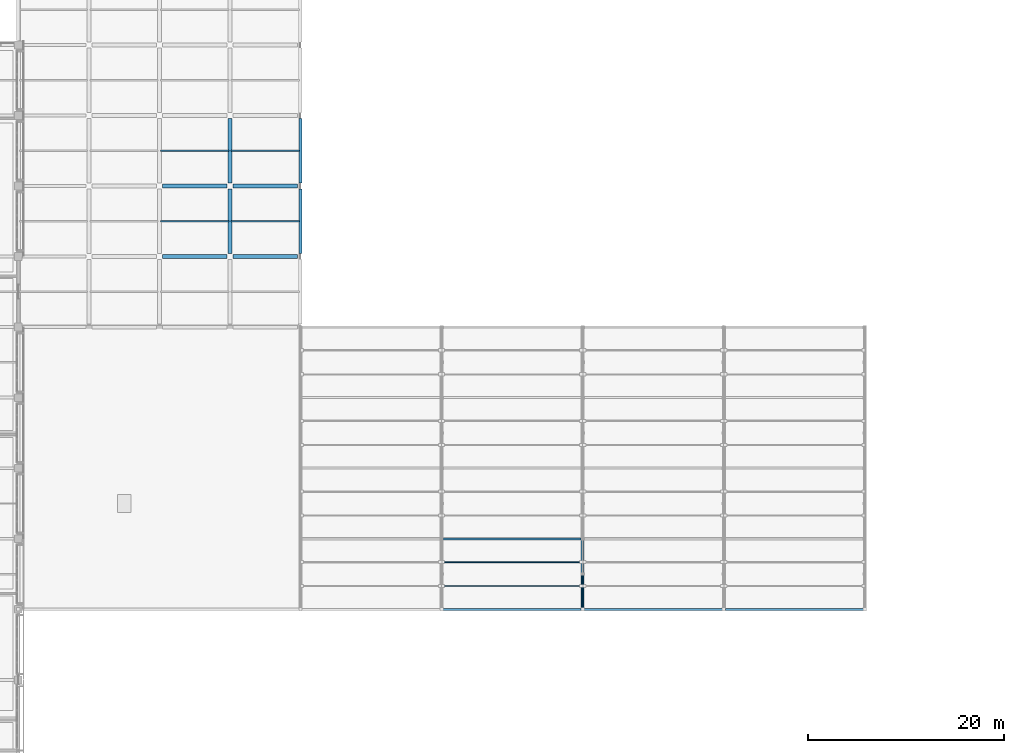
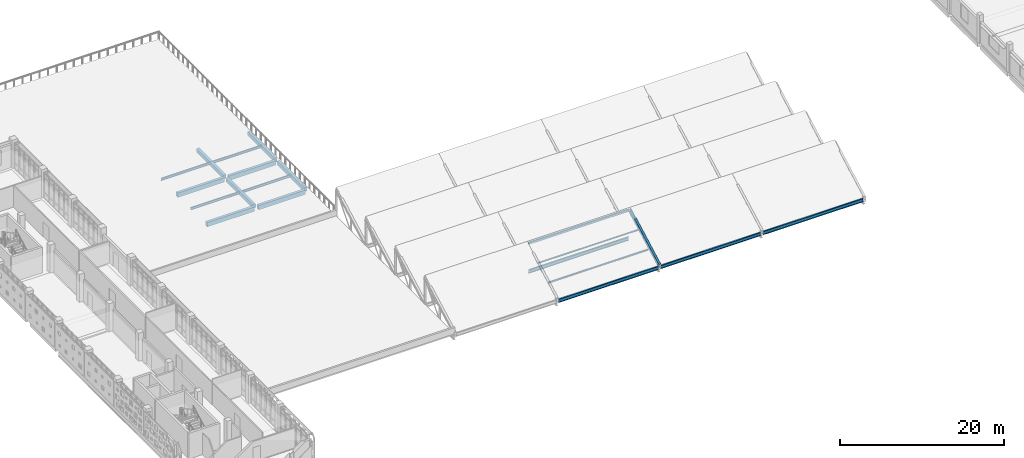
# One storey, part 13 of 51: 16 beams, 5 members.
"""IFC4 building model written with IfcOpenShell, lengths in metres."""

from ifc_helpers import new_model, si_unit, direction, frame, origin, origin_2d, place, context, subcontext, project, spatial, rectangle, hollow_rectangle, hollow_circle, i_section, extrude, material, material_profile, profile_set, type_object, element, save


model = new_model("IFC4")

# Units and contexts
model_context = context("Model", 3, precision=1e-05, world=origin(), true_north=direction((0.0, 1.0)))
body_context = subcontext(model_context, "Body", "Model", "MODEL_VIEW")
ifc_project = project(units=[si_unit("LENGTHUNIT", "METRE"), si_unit("AREAUNIT", "SQUARE_METRE"), si_unit("VOLUMEUNIT", "CUBIC_METRE"), si_unit("PLANEANGLEUNIT", "RADIAN"), si_unit("MASSUNIT", "GRAM", prefix="KILO")], contexts=[model_context])

# Site, building, storey
site_placement = place(None, origin())
site = spatial("IfcSite", under=ifc_project, at=site_placement, CompositionType="ELEMENT")
building_placement = place(site_placement, origin())
building = spatial("IfcBuilding", under=site, at=building_placement, Name="Valkovuoma Quantum and Materials Research Institute", CompositionType="ELEMENT")
storey_placement = place(building_placement, frame((0.0, 0.0, 17.280029296875)))
storey = spatial("IfcBuildingStorey", under=building, at=storey_placement, Name="L04", CompositionType="ELEMENT", Elevation=17.280029296875)

# Beams
ifc_material_1 = material(Name="Steel S355J2", Category="steel")
ifc_material_profile_1 = material_profile(ifc_material_1, i_section(OverallWidth=0.199951171875, OverallDepth=0.5, WebThickness=0.01025390625, FlangeThickness=0.01611328125, FilletRadius=0.02099609375, at=origin_2d()), Name="Steel S355J2")
ifc_profile_set_1 = profile_set([ifc_material_profile_1], Name="Steel S355J2")
beam_type_1 = type_object("IfcBeamType", Name="Beam-B-IPE500", PredefinedType="BEAM", material=ifc_profile_set_1)
for number, where, z_axis, x_axis, name in (
    (1, (57.75, 36.0, -0.300048828125), (1.0, 0.0, 0.0), (0.0, 1.0, 0.0), "L04 VOL2 valley beam 1.2"),
    (2, (72.14990234375, 36.0, -0.300048828125), (1.0, 0.0, 0.0), (0.0, 1.0, 0.0), "L04 VOL2 valley beam 1.3"),
):
    element("IfcBeam", number, at=place(storey_placement, frame(where, z_axis=z_axis, x_axis=x_axis)), inside=storey, type_object=beam_type_1, Name=name, PredefinedType="BEAM", context=body_context, shape_type="SweptSolid", body=[
        extrude(i_section(OverallWidth=0.199951171875, OverallDepth=0.5, WebThickness=0.01025390625, FlangeThickness=0.01611328125, FilletRadius=0.02099609375, at=origin_2d()), origin(), (0.0, 0.0, 1.0), 14.10009765625),
    ])
beam_1_placement = place(storey_placement, frame((86.550048828125, 36.0, -0.300048828125), z_axis=(1.0, 0.0, 0.0), x_axis=(0.0, 1.0, 0.0)))
element("IfcBeam", 3, at=beam_1_placement, inside=storey, type_object=beam_type_1, Name="L04 VOL2 valley beam 1.4", PredefinedType="BEAM", context=body_context, shape_type="SweptSolid", body=[
    extrude(i_section(OverallWidth=0.199951171875, OverallDepth=0.5, WebThickness=0.01025390625, FlangeThickness=0.01611328125, FilletRadius=0.02099609375, at=origin_2d()), origin(), (0.0, 0.0, 1.0), 14.099853515625),
])
beam_2_placement = place(storey_placement, frame((57.75, 43.199951171875, -0.300048828125), z_axis=(1.0, 0.0, 0.0), x_axis=(0.0, 1.0, 0.0)))
element("IfcBeam", 4, at=beam_2_placement, inside=storey, type_object=beam_type_1, Name="L04 VOL2 valley beam 2.2", PredefinedType="BEAM", context=body_context, shape_type="SweptSolid", body=[
    extrude(i_section(OverallWidth=0.199951171875, OverallDepth=0.5, WebThickness=0.01025390625, FlangeThickness=0.01611328125, FilletRadius=0.02099609375, at=origin_2d()), origin(), (0.0, 0.0, 1.0), 14.10009765625),
])
ifc_material_2 = material(Name="Steel S355J2", Category="steel")
ifc_material_profile_2 = material_profile(ifc_material_2, i_section(OverallWidth=0.169921875, OverallDepth=0.360107421875, WebThickness=0.008056640625, FlangeThickness=0.0126953125, FilletRadius=0.01806640625, at=origin_2d()), Name="Steel S355J2")
ifc_profile_set_2 = profile_set([ifc_material_profile_2], Name="Steel S355J2")
beam_type_2 = type_object("IfcBeamType", Name="Beam-B-JST360", PredefinedType="JOIST", material=ifc_profile_set_2)
for number, where, z_axis, x_axis, name in (
    (5, (28.919921875, 75.60009765625, -0.530029296875), (1.0, 0.0, 0.0), (0.0, 1.0, 0.0), "L04 floor joist 2058"),
    (6, (36.1201171875, 75.60009765625, -0.530029296875), (1.0, 0.0, 0.0), (0.0, 1.0, 0.0), "L04 floor joist 2059"),
    (7, (28.919921875, 82.800048828125, -0.530029296875), (1.0, 0.0, 0.0), (0.0, 1.0, 0.0), "L04 floor joist 2067"),
    (8, (36.1201171875, 82.800048828125, -0.530029296875), (1.0, 0.0, 0.0), (0.0, 1.0, 0.0), "L04 floor joist 2068"),
):
    element("IfcBeam", number, at=place(storey_placement, frame(where, z_axis=z_axis, x_axis=x_axis)), inside=storey, type_object=beam_type_2, Name=name, PredefinedType="JOIST", context=body_context, shape_type="SweptSolid", body=[
        extrude(i_section(OverallWidth=0.169921875, OverallDepth=0.360107421875, WebThickness=0.008056640625, FlangeThickness=0.0126953125, FilletRadius=0.01806640625, at=origin_2d()), origin(), (0.0, 0.0, 1.0), 6.9599609375),
    ])
ifc_material_3 = material(Name="Concrete C40/50", Category="concrete")
ifc_material_profile_3 = material_profile(ifc_material_3, rectangle(XDim=0.39990234375, YDim=0.550048828125, at=origin_2d()), Name="Concrete C40/50")
ifc_profile_set_3 = profile_set([ifc_material_profile_3], Name="Concrete C40/50")
beam_type_3 = type_object("IfcBeamType", Name="Beam-B-RC550", PredefinedType="BEAM", material=ifc_profile_set_3)
beam_3_placement = place(storey_placement, frame((36.0, 72.300048828125, -0.625), z_axis=(0.0, 1.0, 0.0), x_axis=(-1.0, 0.0, 0.0)))
element("IfcBeam", 9, at=beam_3_placement, inside=storey, type_object=beam_type_3, Name="L04 beam Y-1945", PredefinedType="BEAM", context=body_context, shape_type="SweptSolid", body=[
    extrude(rectangle(XDim=0.39990234375, YDim=0.550048828125, at=origin_2d()), origin(), (0.0, 0.0, 1.0), 6.599853515625),
])
beam_4_placement = place(storey_placement, frame((36.0, 79.5, -0.625), z_axis=(0.0, 1.0, 0.0), x_axis=(-1.0, 0.0, 0.0)))
element("IfcBeam", 10, at=beam_4_placement, inside=storey, type_object=beam_type_3, Name="L04 beam Y-1946", PredefinedType="BEAM", context=body_context, shape_type="SweptSolid", body=[
    extrude(rectangle(XDim=0.39990234375, YDim=0.550048828125, at=origin_2d()), origin(), (0.0, 0.0, 1.0), 6.60009765625),
])
ifc_material_4 = material(Name="Concrete C40/50", Category="concrete")
ifc_material_profile_4 = material_profile(ifc_material_4, rectangle(XDim=0.39990234375, YDim=0.64990234375, at=origin_2d()), Name="Concrete C40/50")
ifc_profile_set_4 = profile_set([ifc_material_profile_4], Name="Concrete C40/50")
beam_type_4 = type_object("IfcBeamType", Name="Beam-B-RC650", PredefinedType="BEAM", material=ifc_profile_set_4)
for number, where, z_axis, x_axis, name in (
    (11, (29.10009765625, 72.0, -0.675048828125), (1.0, 0.0, 0.0), (0.0, 1.0, 0.0), "L04 beam X-1856"),
    (12, (36.300048828125, 72.0, -0.675048828125), (1.0, 0.0, 0.0), (0.0, 1.0, 0.0), "L04 beam X-1857"),
    (13, (29.10009765625, 79.199951171875, -0.675048828125), (1.0, 0.0, 0.0), (0.0, 1.0, 0.0), "L04 beam X-1865"),
    (14, (36.300048828125, 79.199951171875, -0.675048828125), (1.0, 0.0, 0.0), (0.0, 1.0, 0.0), "L04 beam X-1866"),
):
    element("IfcBeam", number, at=place(storey_placement, frame(where, z_axis=z_axis, x_axis=x_axis)), inside=storey, type_object=beam_type_4, Name=name, PredefinedType="BEAM", context=body_context, shape_type="SweptSolid", body=[
        extrude(rectangle(XDim=0.39990234375, YDim=0.64990234375, at=origin_2d()), origin(), (0.0, 0.0, 1.0), 6.599853515625),
    ])
ifc_material_5 = material(Name="Concrete C40/50", Category="concrete")
ifc_material_profile_5 = material_profile(ifc_material_5, rectangle(XDim=0.35009765625, YDim=0.60009765625, at=origin_2d()), Name="Concrete C40/50")
ifc_profile_set_5 = profile_set([ifc_material_profile_5], Name="Concrete C40/50")
beam_type_5 = type_object("IfcBeamType", Name="Beam-B-SPN600", PredefinedType="SPANDREL", material=ifc_profile_set_5)
beam_5_placement = place(storey_placement, frame((43.199951171875, 72.300048828125, -0.650146484375), z_axis=(0.0, 1.0, 0.0), x_axis=(-1.0, 0.0, 0.0)))
element("IfcBeam", 15, at=beam_5_placement, inside=storey, type_object=beam_type_5, Name="L04 beam Y-1951", PredefinedType="SPANDREL", context=body_context, shape_type="SweptSolid", body=[
    extrude(rectangle(XDim=0.35009765625, YDim=0.60009765625, at=origin_2d()), origin(), (0.0, 0.0, 1.0), 6.599853515625),
])
beam_6_placement = place(storey_placement, frame((43.199951171875, 79.5, -0.650146484375), z_axis=(0.0, 1.0, 0.0), x_axis=(-1.0, 0.0, 0.0)))
element("IfcBeam", 16, at=beam_6_placement, inside=storey, type_object=beam_type_5, Name="L04 beam Y-1952", PredefinedType="SPANDREL", context=body_context, shape_type="SweptSolid", body=[
    extrude(rectangle(XDim=0.35009765625, YDim=0.60009765625, at=origin_2d()), origin(), (0.0, 0.0, 1.0), 6.60009765625),
])

# Members
ifc_material_6 = material(Name="Steel S355J2H", Category="steel")
ifc_material_profile_6 = material_profile(ifc_material_6, hollow_circle(Radius=0.109619140625, WallThickness=0.010009765625, at=origin_2d()), Name="Steel S355J2H")
ifc_profile_set_6 = profile_set([ifc_material_profile_6], Name="Steel S355J2H")
member_type_1 = type_object("IfcMemberType", Name="Mem-M-BRC219", PredefinedType="BRACE", material=ifc_profile_set_6)
member_1_placement = place(storey_placement, frame((72.0, 36.0, -0.35009765625), z_axis=(0.0, 0.843216181903, 0.537574618613), x_axis=(-1.0, 0.0, 0.0)))
element("IfcMember", 17, at=member_1_placement, inside=storey, type_object=member_type_1, Name="L04 VOL2 sawtooth web brace 3.1A", PredefinedType="BRACE", context=body_context, shape_type="SweptSolid", body=[
    extrude(hollow_circle(Radius=0.109619140625, WallThickness=0.010009765625, at=origin_2d()), origin(), (0.0, 0.0, 1.0), 4.26953125),
])
ifc_material_7 = material(Name="Steel S355J2H", Category="steel")
ifc_material_profile_7 = material_profile(ifc_material_7, hollow_rectangle(XDim=0.199951171875, YDim=0.300048828125, WallThickness=0.012451171875, at=origin_2d()), Name="Steel S355J2H")
ifc_profile_set_7 = profile_set([ifc_material_profile_7], Name="Steel S355J2H")
member_type_2 = type_object("IfcMemberType", Name="Mem-M-CHD300", PredefinedType="CHORD", material=ifc_profile_set_7)
member_2_placement = place(storey_placement, frame((57.75, 43.199951171875, 3.889892578125), z_axis=(1.0, 0.0, 0.0), x_axis=(0.0, 1.0, 0.0)))
element("IfcMember", 18, at=member_2_placement, inside=storey, type_object=member_type_2, Name="L04 VOL2 ridge chord 1.2", PredefinedType="CHORD", context=body_context, shape_type="SweptSolid", body=[
    extrude(hollow_rectangle(XDim=0.199951171875, YDim=0.300048828125, WallThickness=0.012451171875, at=origin_2d()), origin(), (0.0, 0.0, 1.0), 14.10009765625),
])
ifc_material_8 = material(Name="Steel S355J2", Category="steel")
ifc_material_profile_8 = material_profile(ifc_material_8, i_section(OverallWidth=0.300048828125, OverallDepth=0.5, WebThickness=0.014404296875, FlangeThickness=0.028076171875, FilletRadius=0.027099609375, at=origin_2d()), Name="Steel S355J2")
ifc_profile_set_8 = profile_set([ifc_material_profile_8], Name="Steel S355J2")
member_type_3 = type_object("IfcMemberType", Name="Mem-M-CHD500", PredefinedType="CHORD", material=ifc_profile_set_8)
member_3_placement = place(storey_placement, frame((72.0, 36.0, 0.0), z_axis=(0.0, 0.879807342754, 0.475330453091), x_axis=(-1.0, 0.0, 0.0)))
element("IfcMember", 19, at=member_3_placement, inside=storey, type_object=member_type_3, Name="L04 VOL2 sawtooth top chord 3.1", PredefinedType="CHORD", context=body_context, shape_type="SweptSolid", body=[
    extrude(i_section(OverallWidth=0.300048828125, OverallDepth=0.5, WebThickness=0.014404296875, FlangeThickness=0.028076171875, FilletRadius=0.027099609375, at=origin_2d()), origin(), (0.0, 0.0, 1.0), 8.18359375),
])
ifc_material_9 = material(Name="Steel S355J2", Category="steel")
ifc_material_profile_9 = material_profile(ifc_material_9, i_section(OverallWidth=0.10009765625, OverallDepth=0.199951171875, WebThickness=0.005615234375, FlangeThickness=0.008544921875, FilletRadius=0.011962890625, at=origin_2d()), Name="Steel S355J2")
ifc_profile_set_9 = profile_set([ifc_material_profile_9], Name="Steel S355J2")
member_type_4 = type_object("IfcMemberType", Name="Mem-M-PRL200", PredefinedType="PURLIN", material=ifc_profile_set_9)
member_4_placement = place(storey_placement, frame((57.75, 40.823974609375, 2.405517578125), z_axis=(1.0, 0.0, 0.0), x_axis=(0.0, 1.0, 0.0)))
element("IfcMember", 20, at=member_4_placement, inside=storey, type_object=member_type_4, Name="L04 VOL2 roof purlin 1.2.2", PredefinedType="PURLIN", context=body_context, shape_type="SweptSolid", body=[
    extrude(i_section(OverallWidth=0.10009765625, OverallDepth=0.199951171875, WebThickness=0.005615234375, FlangeThickness=0.008544921875, FilletRadius=0.011962890625, at=origin_2d()), origin(), (0.0, 0.0, 1.0), 14.10009765625),
])
ifc_material_10 = material(Name="Steel S355J2", Category="steel")
ifc_material_profile_10 = material_profile(ifc_material_10, i_section(OverallWidth=0.1201171875, OverallDepth=0.239990234375, WebThickness=0.006103515625, FlangeThickness=0.009765625, FilletRadius=0.014892578125, at=origin_2d()), Name="Steel S355J2")
ifc_profile_set_10 = profile_set([ifc_material_profile_10], Name="Steel S355J2")
member_type_5 = type_object("IfcMemberType", Name="Mem-M-PRL240", PredefinedType="PURLIN", material=ifc_profile_set_10)
member_5_placement = place(storey_placement, frame((57.75, 38.3759765625, 0.9638671875), z_axis=(1.0, 0.0, 0.0), x_axis=(0.0, 1.0, 0.0)))
element("IfcMember", 21, at=member_5_placement, inside=storey, type_object=member_type_5, Name="L04 VOL2 roof purlin 1.2.1", PredefinedType="PURLIN", context=body_context, shape_type="SweptSolid", body=[
    extrude(i_section(OverallWidth=0.1201171875, OverallDepth=0.239990234375, WebThickness=0.006103515625, FlangeThickness=0.009765625, FilletRadius=0.014892578125, at=origin_2d()), origin(), (0.0, 0.0, 1.0), 14.10009765625),
])

save(model, "model.ifc")
